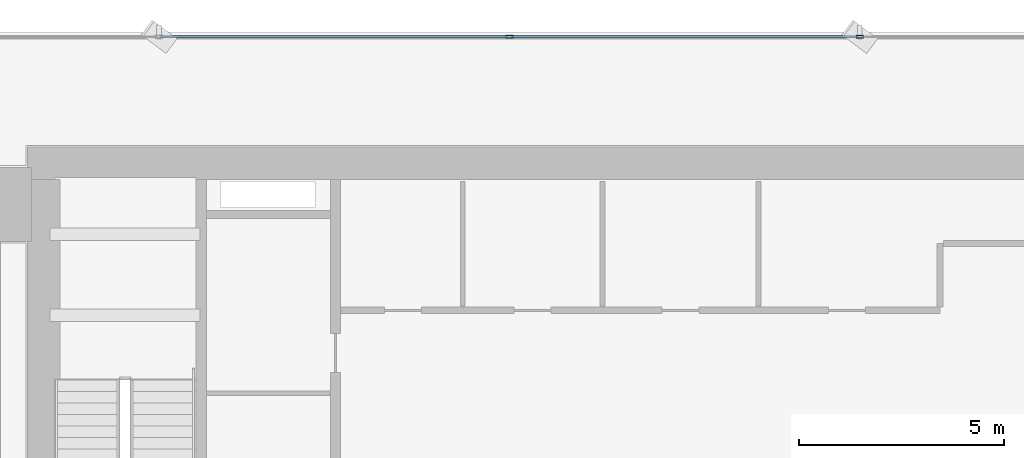
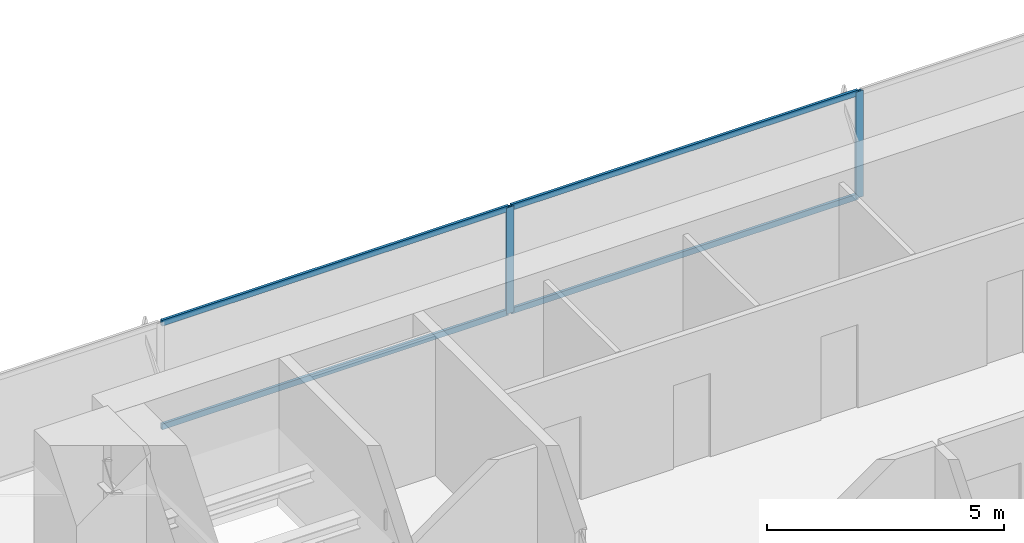
# One storey, part 19 of 34: 6 members, 1 element without a shape of its own.
"""IFC4 building model written with IfcOpenShell, lengths in metres."""

from ifc_helpers import new_model, si_unit, direction, frame, origin, origin_2d, place, context, subcontext, project, spatial, hollow_rectangle, extrude, source, transform, mapped, material, layer, layer_set, material_profile, profile_set, type_object, element, aggregate, save


model = new_model("IFC4")

# Units and contexts
model_context = context("Model", 3, precision=1e-05, world=origin(), true_north=direction((0.0, 1.0)))
body_context = subcontext(model_context, "Body", "Model", "MODEL_VIEW")
ifc_project = project(units=[si_unit("LENGTHUNIT", "METRE"), si_unit("AREAUNIT", "SQUARE_METRE"), si_unit("VOLUMEUNIT", "CUBIC_METRE"), si_unit("PLANEANGLEUNIT", "RADIAN"), si_unit("MASSUNIT", "GRAM", prefix="KILO")], contexts=[model_context])

# Site, building, storey
site_placement = place(None, origin())
site = spatial("IfcSite", under=ifc_project, at=site_placement, CompositionType="ELEMENT")
building_placement = place(site_placement, origin())
building = spatial("IfcBuilding", under=site, at=building_placement, Name="Sumidabori Civic Tower", CompositionType="ELEMENT")
storey_placement = place(building_placement, frame((0.0, 0.0, 34.39990234375)))
storey = spatial("IfcBuildingStorey", under=building, at=storey_placement, Name="L08", CompositionType="ELEMENT", Elevation=34.39990234375)

# Curtain wall, members
ifc_material = material(Name="Anodised Bronze Aluminium AW-6063-T6", Category="aluminium")
ifc_layer = layer(ifc_material, 0.179931640625, Name="Anodised Bronze Aluminium AW-6063-T6")
ifc_layer_set = layer_set([ifc_layer], Name="Anodised Bronze Aluminium AW-6063-T6")
curtain_wall_type = type_object("IfcCurtainWallType", Name="CW-SYS-2", PredefinedType="NOTDEFINED", material=ifc_layer_set)
curtain_wall_placement = place(storey_placement, origin())
curtain_wall = element("IfcCurtainWall", 1, at=curtain_wall_placement, inside=storey, type_object=curtain_wall_type, Name="Curtain Wall CW:L08:R07", PredefinedType="NOTDEFINED")
ifc_material_profile_1 = material_profile(ifc_material, hollow_rectangle(XDim=0.070068359375, YDim=0.179931640625, WallThickness=0.006103515625, at=origin_2d()), Name="ALU MULLION 180x70")
ifc_profile_set_1 = profile_set([ifc_material_profile_1], Name="Anodised Bronze Aluminium AW-6063-T6")
member_type_1 = type_object("IfcMemberType", Name="CW-MUL-180", PredefinedType="MULLION", material=ifc_profile_set_1)
shared_shape_1 = source(origin(), body_context, "Body", "SweptSolid", [
    extrude(hollow_rectangle(XDim=0.070068359375, YDim=0.179931640625, WallThickness=0.006103515625, at=origin_2d()), origin(), (0.0, 0.0, 1.0), 2.739990234375),
])
member_1_placement = place(storey_placement, frame((4.263916015625, 26.8798828125, 0.0), z_axis=(0.0, 0.0, 1.0), x_axis=(0.0, -1.0, 0.0)))
member_1 = element("IfcMember", 2, at=member_1_placement, type_object=member_type_1, Name="CW-2 mullion 3", PredefinedType="MULLION", context=body_context, shape_type="MappedRepresentation", body=[
    mapped(shared_shape_1, transform((0.0, 0.0, 0.0), x_axis=(1.0, 0.0, 0.0), y_axis=(0.0, 1.0, 0.0), z_axis=(0.0, 0.0, 1.0), scale=1.0)),
])
member_2_placement = place(storey_placement, frame((-4.263916015625, 26.8798828125, 0.0), z_axis=(0.0, 0.0, 1.0), x_axis=(0.0, -1.0, 0.0)))
member_2 = element("IfcMember", 3, at=member_2_placement, type_object=member_type_1, Name="CW-2 mullion 4", PredefinedType="MULLION", context=body_context, shape_type="MappedRepresentation", body=[
    mapped(shared_shape_1, transform((0.0, 0.0, 0.0), x_axis=(1.0, 0.0, 0.0), y_axis=(0.0, 1.0, 0.0), z_axis=(0.0, 0.0, 1.0), scale=1.0)),
])
ifc_material_profile_2 = material_profile(ifc_material, hollow_rectangle(XDim=0.06494140625, YDim=0.14990234375, WallThickness=0.0048828125, at=origin_2d()), Name="ALU TRANSOM 150x65")
ifc_profile_set_2 = profile_set([ifc_material_profile_2], Name="Anodised Bronze Aluminium AW-6063-T6")
member_type_2 = type_object("IfcMemberType", Name="CW-TRN-150", PredefinedType="USERDEFINED", material=ifc_profile_set_2)
shared_shape_2 = source(origin(), body_context, "Body", "SweptSolid", [
    extrude(hollow_rectangle(XDim=0.06494140625, YDim=0.14990234375, WallThickness=0.0048828125, at=origin_2d()), origin(), (0.0, 0.0, 1.0), 8.4580078125),
])
member_3_placement = place(storey_placement, frame((4.22900390625, 26.8798828125, 0.03271484375), z_axis=(-1.0, 0.0, 0.0), x_axis=(0.0, -1.0, 0.0)))
member_3 = element("IfcMember", 4, at=member_3_placement, type_object=member_type_2, Name="CW-2 transom 3.1", ObjectType="TRANSOM", PredefinedType="USERDEFINED", context=body_context, shape_type="MappedRepresentation", body=[
    mapped(shared_shape_2, transform((0.0, 0.0, 0.0), x_axis=(1.0, 0.0, 0.0), y_axis=(0.0, 1.0, 0.0), z_axis=(0.0, 0.0, 1.0), scale=1.0)),
])
member_4_placement = place(storey_placement, frame((4.22900390625, 26.8798828125, 2.70751953125), z_axis=(-1.0, 0.0, 0.0), x_axis=(0.0, -1.0, 0.0)))
member_4 = element("IfcMember", 5, at=member_4_placement, type_object=member_type_2, Name="CW-2 transom 3.2", ObjectType="TRANSOM", PredefinedType="USERDEFINED", context=body_context, shape_type="MappedRepresentation", body=[
    mapped(shared_shape_2, transform((0.0, 0.0, 0.0), x_axis=(1.0, 0.0, 0.0), y_axis=(0.0, 1.0, 0.0), z_axis=(0.0, 0.0, 1.0), scale=1.0)),
])
member_5_placement = place(storey_placement, frame((-4.299072265625, 26.8798828125, 0.03271484375), z_axis=(-1.0, 0.0, 0.0), x_axis=(0.0, -1.0, 0.0)))
member_5 = element("IfcMember", 6, at=member_5_placement, type_object=member_type_2, Name="CW-2 transom 4.1", ObjectType="TRANSOM", PredefinedType="USERDEFINED", context=body_context, shape_type="MappedRepresentation", body=[
    mapped(shared_shape_2, transform((0.0, 0.0, 0.0), x_axis=(1.0, 0.0, 0.0), y_axis=(0.0, 1.0, 0.0), z_axis=(0.0, 0.0, 1.0), scale=1.0)),
])
member_6_placement = place(storey_placement, frame((-4.299072265625, 26.8798828125, 2.70751953125), z_axis=(-1.0, 0.0, 0.0), x_axis=(0.0, -1.0, 0.0)))
member_6 = element("IfcMember", 7, at=member_6_placement, type_object=member_type_2, Name="CW-2 transom 4.2", ObjectType="TRANSOM", PredefinedType="USERDEFINED", context=body_context, shape_type="MappedRepresentation", body=[
    mapped(shared_shape_2, transform((0.0, 0.0, 0.0), x_axis=(1.0, 0.0, 0.0), y_axis=(0.0, 1.0, 0.0), z_axis=(0.0, 0.0, 1.0), scale=1.0)),
])
aggregate(curtain_wall, [member_1, member_2, member_3, member_4, member_5, member_6])

save(model, "model.ifc")
